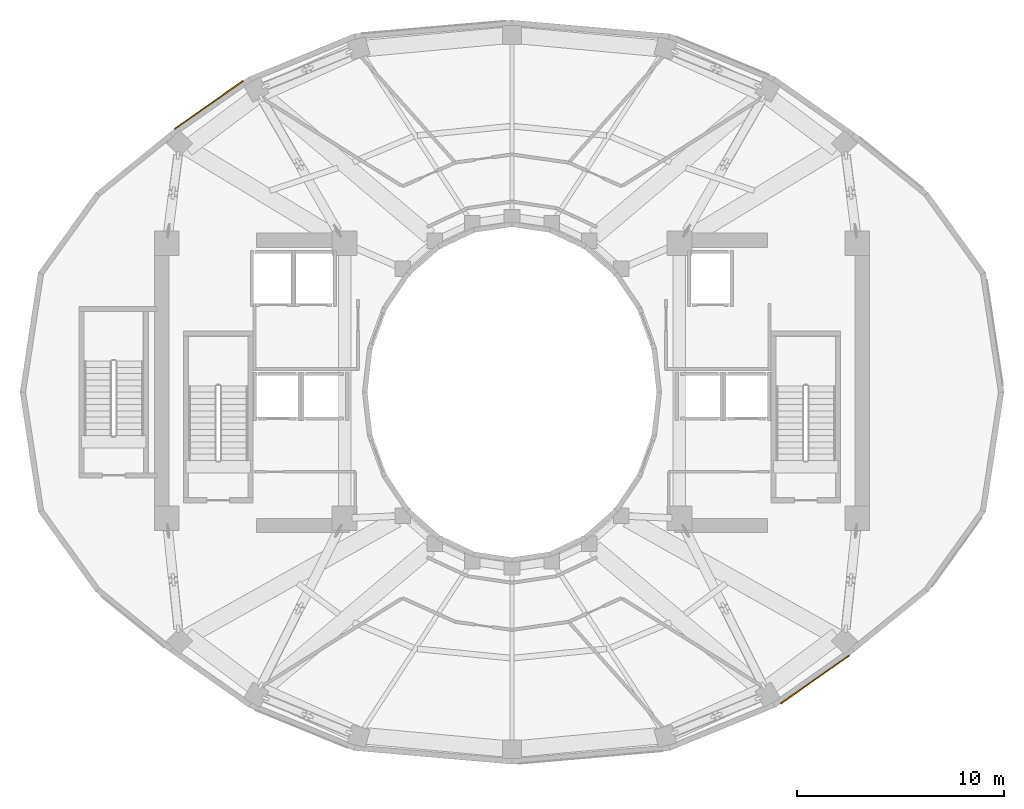
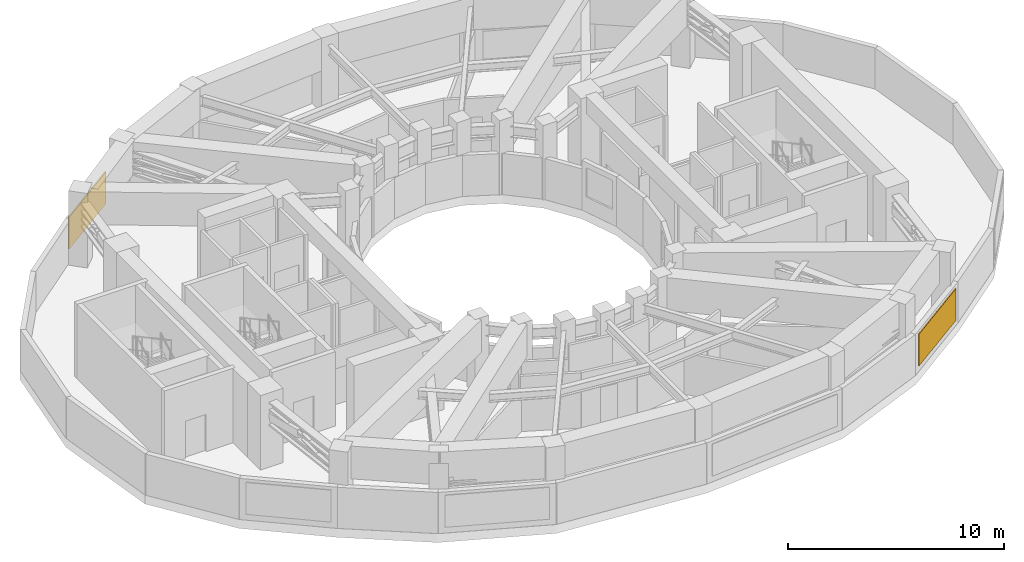
# One storey, part 8 of 10: 2 shading devices.
"""IFC4 building model written with IfcOpenShell, lengths in metres."""

from ifc_helpers import new_model, si_unit, direction, frame, origin, origin_2d, place, context, subcontext, project, spatial, rectangle, extrude, material, layer, layer_set, type_object, element, save


model = new_model("IFC4")

# Units and contexts
model_context = context("Model", 3, precision=1e-05, world=origin(), true_north=direction((0.0, 1.0)))
body_context = subcontext(model_context, "Body", "Model", "MODEL_VIEW")
ifc_project = project(units=[si_unit("LENGTHUNIT", "METRE"), si_unit("AREAUNIT", "SQUARE_METRE"), si_unit("VOLUMEUNIT", "CUBIC_METRE"), si_unit("PLANEANGLEUNIT", "RADIAN"), si_unit("MASSUNIT", "GRAM", prefix="KILO")], contexts=[model_context])

# Site, building, storey
site_placement = place(None, origin())
site = spatial("IfcSite", under=ifc_project, at=site_placement, CompositionType="ELEMENT")
building_placement = place(site_placement, origin())
building = spatial("IfcBuilding", under=site, at=building_placement, Name="Solvane Sanctuary Tower", CompositionType="ELEMENT")
storey_placement = place(building_placement, frame((0.0, 0.0, 129.0)))
storey = spatial("IfcBuildingStorey", under=building, at=storey_placement, Name="L39", CompositionType="ELEMENT", Elevation=129.0)

# Shading devices
ifc_material = material(Name="Anodised Aluminium 6063-T6", Category="aluminium")
ifc_layer = layer(ifc_material, 0.06005859375, Name="Anodised Aluminium 6063-T6")
ifc_layer_set = layer_set([ifc_layer], Name="Anodised Aluminium 6063-T6")
shading_device_type = type_object("IfcShadingDeviceType", Name="Shading SHD-LOUVRE", PredefinedType="JALOUSIE", material=ifc_layer_set)
for number, where, z_axis, x_axis, name in (
    (1, (17.33984375, 36.897216796875, 0.35009765625), (0.0, 0.0, 1.0), (-0.817980077918, -0.575246548994, 0.0), "L39 Plant Intake Louvre 08"),
    (2, (46.66015625, 9.102783203125, 0.35009765625), (0.0, 0.0, 1.0), (0.817980077918, 0.575246548994, 0.0), "L39 Plant Intake Louvre 20"),
):
    element("IfcShadingDevice", number, at=place(storey_placement, frame(where, z_axis=z_axis, x_axis=x_axis)), inside=storey, type_object=shading_device_type, Name=name, PredefinedType="JALOUSIE", context=body_context, shape_type="SweptSolid", body=[
        extrude(rectangle(XDim=4.056884765625, YDim=0.06005859375, at=origin_2d()), origin(), (0.0, 0.0, 1.0), 1.800048828125),
    ])

save(model, "model.ifc")
